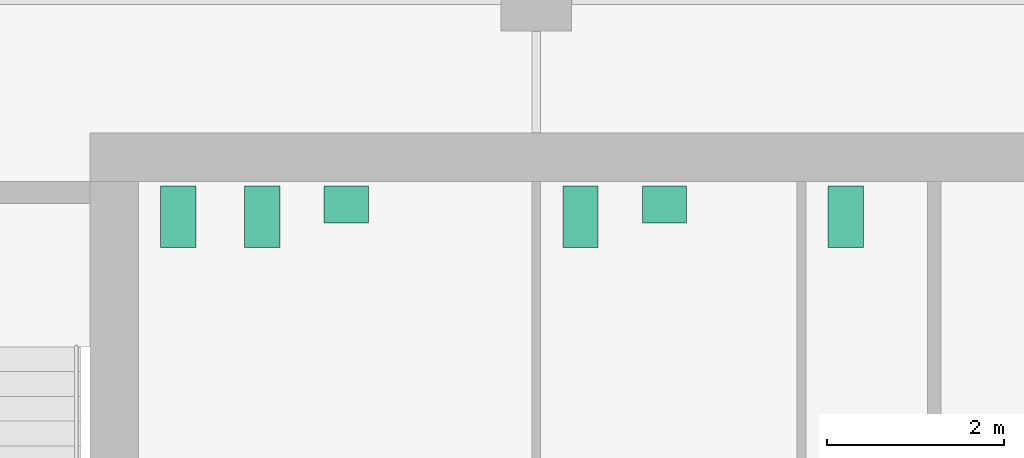
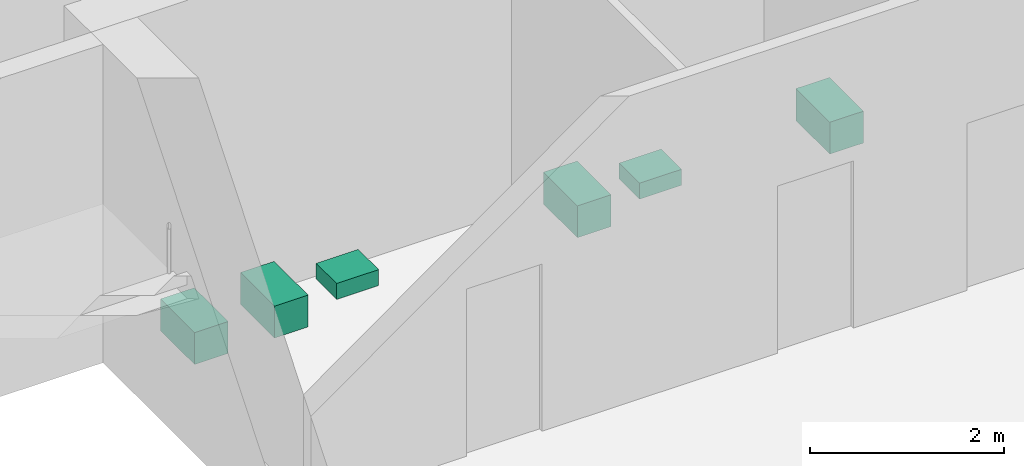
# One storey, part 8 of 8: 6 sanitary terminals.
"""IFC4 building model written with IfcOpenShell, lengths in metres."""

from ifc_helpers import new_model, si_unit, direction, frame, origin, origin_2d, place, context, subcontext, project, spatial, rectangle, extrude, material, type_object, element, save


model = new_model("IFC4")

# Units and contexts
model_context = context("Model", 3, precision=1e-05, world=origin(), true_north=direction((0.0, 1.0)))
body_context = subcontext(model_context, "Body", "Model", "MODEL_VIEW")
ifc_project = project(units=[si_unit("LENGTHUNIT", "METRE"), si_unit("AREAUNIT", "SQUARE_METRE"), si_unit("VOLUMEUNIT", "CUBIC_METRE"), si_unit("PLANEANGLEUNIT", "RADIAN"), si_unit("MASSUNIT", "GRAM", prefix="KILO")], contexts=[model_context])

# Site, building, storey
site_placement = place(None, origin())
site = spatial("IfcSite", under=ifc_project, at=site_placement, CompositionType="ELEMENT")
building_placement = place(site_placement, origin())
building = spatial("IfcBuilding", under=site, at=building_placement, Name="Cinnabar Reach Civic Tower", CompositionType="ELEMENT")
storey_placement = place(building_placement, frame((0.0, 0.0, 206.0)))
storey = spatial("IfcBuildingStorey", under=building, at=storey_placement, Name="L49", CompositionType="ELEMENT", Elevation=206.0)

# Sanitary terminals
ifc_material = material(Name="Vitreous china")
sanitary_terminal_type_1 = type_object("IfcSanitaryTerminalType", Name="T1 WC pan", PredefinedType="TOILETPAN", material=ifc_material)
for number, where, z_axis, x_axis, name in (
    (1, (4.95, 41.6, 0.0), (0.0, 0.0, 1.0), (1.0, 0.0, 0.0), "T1 WC pan 4909-1"),
    (2, (5.9, 41.6, 0.0), (0.0, 0.0, 1.0), (1.0, 0.0, 0.0), "T1 WC pan 4909-2"),
    (3, (9.5, 41.6, 0.0), (0.0, 0.0, 1.0), (1.0, 0.0, 0.0), "T1 WC pan 4910-1"),
    (4, (12.5, 41.6, 0.0), (0.0, 0.0, 1.0), (1.0, 0.0, 0.0), "T1 WC pan 4911-1"),
):
    element("IfcSanitaryTerminal", number, at=place(storey_placement, frame(where, z_axis=z_axis, x_axis=x_axis)), inside=storey, type_object=sanitary_terminal_type_1, Name=name, PredefinedType="TOILETPAN", context=body_context, shape_type="SweptSolid", body=[
        extrude(rectangle(XDim=0.4, YDim=0.7, at=origin_2d()), origin(), (0.0, 0.0, 1.0), 0.4),
    ])
sanitary_terminal_type_2 = type_object("IfcSanitaryTerminalType", Name="T1 wash basin", PredefinedType="WASHHANDBASIN", material=ifc_material)
for number, where, z_axis, x_axis, name in (
    (5, (6.85, 41.74, 0.0), (0.0, 0.0, 1.0), (1.0, 0.0, 0.0), "T1 wash basin 4909-3"),
    (6, (10.45, 41.74, 0.0), (0.0, 0.0, 1.0), (1.0, 0.0, 0.0), "T1 wash basin 4910-2"),
):
    element("IfcSanitaryTerminal", number, at=place(storey_placement, frame(where, z_axis=z_axis, x_axis=x_axis)), inside=storey, type_object=sanitary_terminal_type_2, Name=name, PredefinedType="WASHHANDBASIN", context=body_context, shape_type="SweptSolid", body=[
        extrude(rectangle(XDim=0.5, YDim=0.42, at=origin_2d()), origin(), (0.0, 0.0, 1.0), 0.2),
    ])

save(model, "model.ifc")
